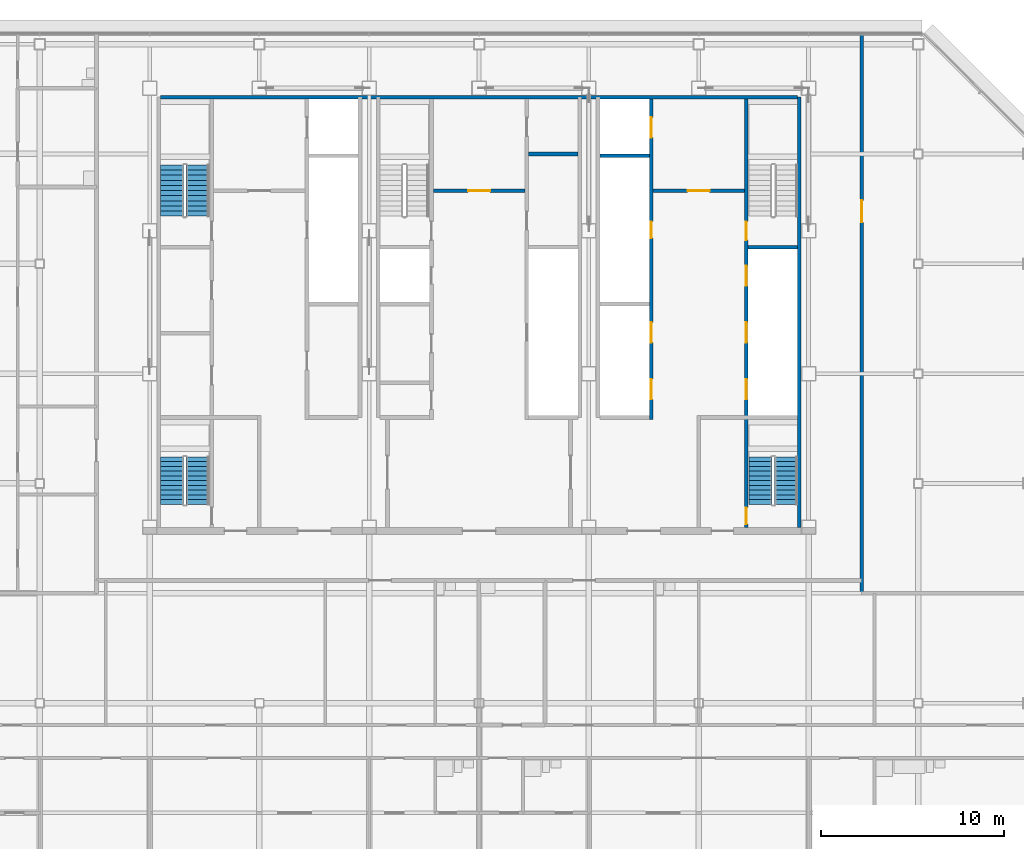
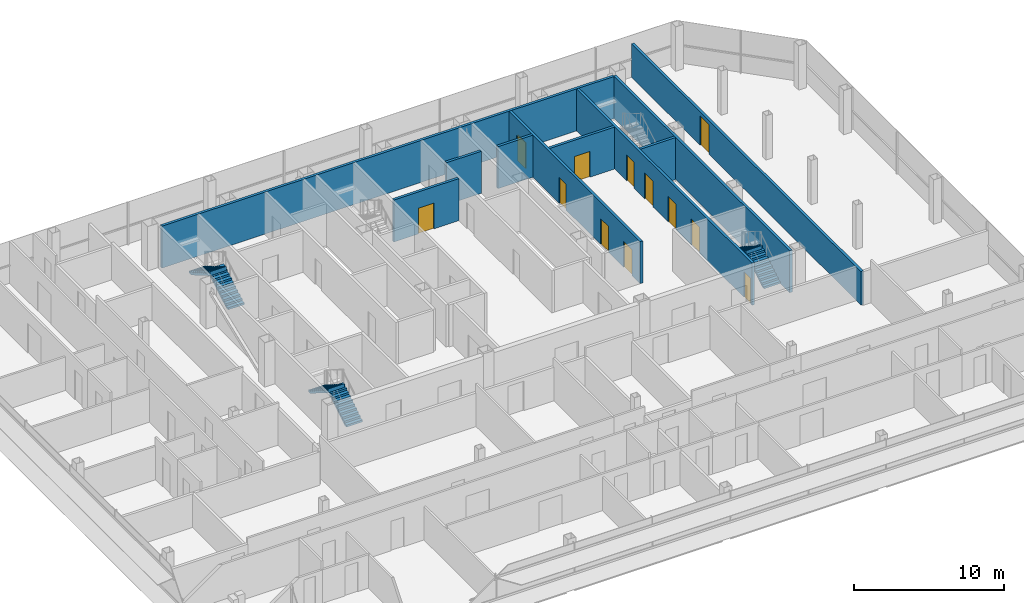
# One storey, part 25 of 28: 12 doors, 10 walls, 6 stair flights, 12 openings, 3 elements without a shape of their own.
"""IFC4 building model written with IfcOpenShell, lengths in metres."""

import ifcopenshell
import ifcopenshell.guid

model = None  # the IFC model being written
_history = None  # IfcOwnerHistory: only IFC2X3 demands one
_inside = {}  # id of a spatial element -> (the spatial element, [elements in it])
_under = {}  # id of a project, library or spatial element -> (it, [spatial elements below it])
_declared = {}  # id of a project -> (the project, [libraries it declares])
_typed = {}  # id of a type object -> (the type object, [elements of that type])
_made_of = {}  # id of a material, layer set ... -> (it, [elements and type objects made of it])


def new_model(schema):
    """Start an empty IFC model of exactly this schema.

    Asked for "IFC4X3", IfcOpenShell would pick the latest addendum, in which some entities
    have other attributes; the version numbers below select the first issue.
    IFC2X3 requires an IfcOwnerHistory on every rooted entity: one is made here for all.
    """
    global model, _history
    if schema == "IFC4X3":
        model = ifcopenshell.file(schema_version=(4, 3, 0, 0))
    else:
        model = ifcopenshell.file(schema=schema)
    _inside.clear()
    _under.clear()
    _declared.clear()
    _typed.clear()
    _made_of.clear()
    _history = None
    if model.schema == "IFC2X3":
        org = make("IfcOrganization", Name="unknown")
        user = make(
            "IfcPersonAndOrganization",
            ThePerson=make("IfcPerson", FamilyName="unknown"),
            TheOrganization=org,
        )
        app = make(
            "IfcApplication",
            ApplicationDeveloper=org,
            Version="unknown",
            ApplicationFullName="unknown",
            ApplicationIdentifier="unknown",
        )
        _history = make(
            "IfcOwnerHistory",
            OwningUser=user,
            OwningApplication=app,
            ChangeAction="ADDED",
            CreationDate=0,
        )
    return model


def make(cls, **values):
    """One entity of the class cls with the attributes given. An attribute that is None is left unset."""
    return model.create_entity(
        cls, **{name: value for name, value in values.items() if value is not None}
    )


def rooted(cls, **values):
    """An entity with a GlobalId (a new one), such as an element, a storey or a relation."""
    return make(cls, GlobalId=ifcopenshell.guid.new(), OwnerHistory=_history, **values)


def si_unit(unit_type, name, prefix=None):
    """IfcSIUnit, for example si_unit("LENGTHUNIT", "METRE", prefix="MILLI")."""
    return make("IfcSIUnit", UnitType=unit_type, Prefix=prefix, Name=name)


def assignment(units):
    """IfcUnitAssignment: the units of a project."""
    return None if units is None else make("IfcUnitAssignment", Units=units)


def point(xyz):
    """IfcCartesianPoint."""
    return None if xyz is None else make("IfcCartesianPoint", Coordinates=xyz)


def direction(xyz):
    """IfcDirection."""
    return None if xyz is None else make("IfcDirection", DirectionRatios=xyz)


def frame(location, z_axis=None, x_axis=None):
    """IfcAxis2Placement3D, a coordinate frame: its origin and axes. An axis left out is left unset."""
    return make(
        "IfcAxis2Placement3D",
        Location=point(location),
        Axis=direction(z_axis),
        RefDirection=direction(x_axis),
    )


def frame_2d(location, x_axis=None):
    """IfcAxis2Placement2D, a coordinate frame in the plane: its origin and x axis."""
    return make(
        "IfcAxis2Placement2D", Location=point(location), RefDirection=direction(x_axis)
    )


def origin():
    """The frame at (0, 0, 0) with its axes left unset."""
    return frame((0.0, 0.0, 0.0))


def place(relative_to, where):
    """IfcLocalPlacement: puts the frame where relative to a parent placement (None: the world)."""
    return make(
        "IfcLocalPlacement", PlacementRelTo=relative_to, RelativePlacement=where
    )


def context(
    kind, dimensions, precision=None, world=None, true_north=None, identifier=None
):
    """IfcGeometricRepresentationContext, for example the 3D "Model" context."""
    return make(
        "IfcGeometricRepresentationContext",
        ContextIdentifier=identifier,
        ContextType=kind,
        CoordinateSpaceDimension=dimensions,
        Precision=precision,
        WorldCoordinateSystem=world,
        TrueNorth=true_north,
    )


def subcontext(parent, identifier, kind, view, scale=None):
    """IfcGeometricRepresentationSubContext, for example "Body" below "Model"."""
    return make(
        "IfcGeometricRepresentationSubContext",
        ContextIdentifier=identifier,
        ContextType=kind,
        ParentContext=parent,
        TargetScale=scale,
        TargetView=view,
    )


def project(units=None, contexts=None):
    """IfcProject with its units and contexts."""
    return rooted(
        "IfcProject",
        Name="project",
        RepresentationContexts=contexts,
        UnitsInContext=assignment(units),
    )


def spatial(cls, under=None, at=None, **own):
    """A site, building, storey or space (cls), placed at a placement, below another one or the project."""
    s = rooted(cls, ObjectPlacement=at, **own)
    if under is not None:
        _under.setdefault(under.id(), (under, []))[1].append(s)
    return s


def polyline(points):
    """IfcPolyline through the points."""
    return make("IfcPolyline", Points=[point(p) for p in points])


def profile(cls, at=None, kind="AREA", **sizes):
    """A parametric profile (cls). Its sizes go by their IFC names, for example OverallWidth=200.0."""
    return make(cls, ProfileType=kind, Position=at, **sizes)


def rectangle(**sizes):
    """IfcRectangleProfileDef."""
    return profile("IfcRectangleProfileDef", **sizes)


def outline(outer, holes=None, kind="AREA"):
    """IfcArbitraryClosedProfileDef: a profile drawn as a closed curve; with holes, ...WithVoids."""
    if holes is None:
        return make("IfcArbitraryClosedProfileDef", ProfileType=kind, OuterCurve=outer)
    return make(
        "IfcArbitraryProfileDefWithVoids",
        ProfileType=kind,
        OuterCurve=outer,
        InnerCurves=holes,
    )


def extrude(swept, where, along, depth):
    """IfcExtrudedAreaSolid: the profile swept, set in the frame where, extruded along a direction by depth."""
    return make(
        "IfcExtrudedAreaSolid",
        SweptArea=swept,
        Position=where,
        ExtrudedDirection=direction(along),
        Depth=depth,
    )


def shape(context_of_items, identifier, shape_type, items):
    """IfcShapeRepresentation: the items that make up one representation, for example the "Body"."""
    return make(
        "IfcShapeRepresentation",
        ContextOfItems=context_of_items,
        RepresentationIdentifier=identifier,
        RepresentationType=shape_type,
        Items=items,
    )


def material(Name=None, Category=None):
    """IfcMaterial."""
    return make("IfcMaterial", Name=Name, Category=Category)


def layer(
    of_material, thickness, ventilated=None, Name=None, Category=None, Priority=None
):
    """IfcMaterialLayer: one layer of a wall or slab, of a material (None: an air gap)."""
    return make(
        "IfcMaterialLayer",
        Material=of_material,
        LayerThickness=thickness,
        IsVentilated=ventilated,
        Name=Name,
        Category=Category,
        Priority=Priority,
    )


def layer_set(layers, Name=None):
    """IfcMaterialLayerSet."""
    return make("IfcMaterialLayerSet", MaterialLayers=layers, LayerSetName=Name)


def made_of(thing, what):
    """Note that an element or type object is made of a material, layer set ...; save() writes the relation."""
    if what is not None:
        _made_of.setdefault(what.id(), (what, []))[1].append(thing)
    return thing


def type_object(cls, material=None, **own):
    """A type object (cls), such as IfcWallType, which elements share."""
    return made_of(rooted(cls, **own), material)


def element(
    cls,
    number,
    at=None,
    inside=None,
    cuts=None,
    type_object=None,
    material=None,
    context=None,
    identifier="Body",
    shape_type=None,
    held_by="IfcProductDefinitionShape",
    body=None,
    shapes=None,
    **own,
):
    """One element of the class cls, such as IfcWall. Its Tag is "e" and its number.

    at: its placement. inside: the storey or other place that contains it. cuts: it is an
    opening in that element (IfcRelVoidsElement). A single representation is given by context,
    identifier, shape_type and body (its items); several are given by shapes. held_by: the class
    of the entity that holds the representations. save() writes the other relations.
    """
    e = rooted(cls, Tag="e%d" % number, ObjectPlacement=at, **own)
    if body is not None:
        shapes = [shape(context, identifier, shape_type, body)]
    if shapes is not None:
        e.Representation = make(held_by, Representations=shapes)
    if inside is not None:
        _inside.setdefault(inside.id(), (inside, []))[1].append(e)
    if cuts is not None:
        rooted(
            "IfcRelVoidsElement", RelatingBuildingElement=cuts, RelatedOpeningElement=e
        )
    if type_object is not None:
        _typed.setdefault(type_object.id(), (type_object, []))[1].append(e)
    return made_of(e, material)


def fill(opening, filler):
    """IfcRelFillsElement: the door or window that sits in an opening."""
    return rooted(
        "IfcRelFillsElement",
        RelatingOpeningElement=opening,
        RelatedBuildingElement=filler,
    )


def aggregate(whole, parts):
    """IfcRelAggregates: a whole, such as a stair, and the parts it consists of."""
    return rooted("IfcRelAggregates", RelatingObject=whole, RelatedObjects=parts)


def save(model, path):
    """Write the relations noted so far, then the file.

    IfcRelAggregates (storeys below a building ...), IfcRelContainedInSpatialStructure (elements
    in a storey), IfcRelDefinesByType, IfcRelAssociatesMaterial and IfcRelDeclares: one each for
    every whole, place, type object, material and project.
    """
    for whole, parts in _under.values():
        aggregate(whole, parts)
    for where, things in _inside.values():
        rooted(
            "IfcRelContainedInSpatialStructure",
            RelatedElements=things,
            RelatingStructure=where,
        )
    for kind, things in _typed.values():
        rooted("IfcRelDefinesByType", RelatedObjects=things, RelatingType=kind)
    for what, things in _made_of.values():
        rooted("IfcRelAssociatesMaterial", RelatedObjects=things, RelatingMaterial=what)
    for by, libraries in _declared.values():
        rooted("IfcRelDeclares", RelatingContext=by, RelatedDefinitions=libraries)
    model.write(path)


model = new_model("IFC4")

# Units and contexts
model_context = context("Model", 3, precision=1e-05, world=origin(), true_north=direction((0.0, 1.0)))
body_context = subcontext(model_context, "Body", "Model", "MODEL_VIEW")
ifc_project = project(units=[si_unit("LENGTHUNIT", "METRE"), si_unit("AREAUNIT", "SQUARE_METRE"), si_unit("VOLUMEUNIT", "CUBIC_METRE"), si_unit("PLANEANGLEUNIT", "RADIAN"), si_unit("MASSUNIT", "GRAM", prefix="KILO")], contexts=[model_context])

# Site, building, storey
site_placement = place(None, origin())
site = spatial("IfcSite", under=ifc_project, at=site_placement, CompositionType="ELEMENT")
building_placement = place(site_placement, origin())
building = spatial("IfcBuilding", under=site, at=building_placement, Name="Sorahane Residences", CompositionType="ELEMENT")
storey_placement = place(building_placement, frame((0.0, 0.0, 270.199951171875)))
storey = spatial("IfcBuildingStorey", under=building, at=storey_placement, Name="L64", CompositionType="ELEMENT", Elevation=270.199951171875)

# Walls
ifc_material_1 = material(Name="Concrete C30", Category="concrete")
ifc_layer_1 = layer(ifc_material_1, 0.199951171875)
ifc_layer_set_1 = layer_set([ifc_layer_1], Name="Core face wall 200 EI 180")
wall_type_1 = type_object("IfcWallType", Name="Core face wall 200 EI 180", PredefinedType="SOLIDWALL", material=ifc_layer_set_1)
wall_1_placement = place(storey_placement, frame((41.5, 21.60009765625, 0.0), z_axis=(0.0, 0.0, 1.0), x_axis=(0.0, 1.0, 0.0)))
element("IfcWall", 1, at=wall_1_placement, inside=storey, type_object=wall_type_1, Name="L64 core face wall", PredefinedType="SOLIDWALL", context=body_context, shape_type="SweptSolid", body=[
    extrude(rectangle(XDim=23.5, YDim=0.199951171875, at=frame_2d((11.75, 0.0))), origin(), (0.0, 0.0, 1.0), 3.420166015625),
])
wall_2_placement = place(storey_placement, frame((6.60009765625, 45.10009765625, 0.0), z_axis=(0.0, 0.0, 1.0), x_axis=(1.0, 0.0, 0.0)))
element("IfcWall", 2, at=wall_2_placement, inside=storey, type_object=wall_type_1, Name="L64 core face wall", PredefinedType="SOLIDWALL", context=body_context, shape_type="SweptSolid", body=[
    extrude(rectangle(XDim=34.7998046875, YDim=0.199951171875, at=frame_2d((17.39990234375, 0.0))), origin(), (0.0, 0.0, 1.0), 3.420166015625),
])

# Wall, opening, door
ifc_material_2 = material(Name="Concrete blockwork C20 wall", Category="masonry")
ifc_layer_2 = layer(ifc_material_2, 0.199951171875)
ifc_layer_set_2 = layer_set([ifc_layer_2], Name="Corridor wall 200 EI 120")
wall_type_2 = type_object("IfcWallType", Name="Corridor wall 200 EI 120", PredefinedType="SOLIDWALL", material=ifc_layer_set_2)
wall_3_placement = place(storey_placement, frame((44.89990234375, 18.0, 0.0), z_axis=(0.0, 0.0, 1.0), x_axis=(0.0, 1.0, 0.0)))
wall_3 = element("IfcWall", 3, at=wall_3_placement, inside=storey, type_object=wall_type_2, Name="L64 corridor wall", PredefinedType="SOLIDWALL", context=body_context, shape_type="SweptSolid", body=[
    extrude(rectangle(XDim=30.60009765625, YDim=0.199951171875, at=frame_2d((15.300048828125, 0.0))), origin(), (0.0, 0.0, 1.0), 2.719970703125),
])
opening_1_placement = place(wall_3_placement, frame((20.27001953125, 0.0, 0.0)))
opening_1 = element("IfcOpeningElement", 4, at=opening_1_placement, cuts=wall_3, Name="Opening L64-47", PredefinedType="OPENING", context=body_context, shape_type="SweptSolid", body=[
    extrude(rectangle(XDim=1.199951171875, YDim=2.39990234375, at=frame_2d((0.60009765625, 1.199951171875))), frame((0.0, 0.10986328125, 0.0), z_axis=(0.0, -1.0, 0.0), x_axis=(1.0, 0.0, 0.0)), (0.0, 0.0, 1.0), 0.219970703125),
])
ifc_material_3 = material(Name="Steel", Category="steel")
door_type_1 = type_object("IfcDoorType", Name="Lobby door 1200x2400 FD60", OperationType="NOTDEFINED", PredefinedType="DOOR", material=ifc_material_3)
door_1_placement = place(opening_1_placement, frame((1.199951171875, 0.0, 0.0), z_axis=(0.0, 0.0, 1.0), x_axis=(-1.0, 0.0, 0.0)))
door_1 = element("IfcDoor", 5, at=door_1_placement, inside=storey, type_object=door_type_1, Name="Lobby door L64-47", OperationType="SINGLE_SWING_LEFT", OverallHeight=2.39990234375, OverallWidth=1.199951171875, PredefinedType="DOOR", context=body_context, shape_type="SweptSolid", body=[
    extrude(rectangle(XDim=1.199951171875, YDim=2.39990234375, at=frame_2d((0.60009765625, 1.199951171875))), frame((0.0, 0.02490234375, 0.0), z_axis=(0.0, -1.0, 0.0), x_axis=(1.0, 0.0, 0.0)), (0.0, 0.0, 1.0), 0.050048828125),
])
fill(opening_1, door_1)

ifc_material_4 = material(Name="Concrete C30", Category="concrete")
ifc_layer_3 = layer(ifc_material_4, 0.199951171875)
ifc_layer_set_3 = layer_set([ifc_layer_3], Name="Front room wall 200 EI 120")
wall_type_3 = type_object("IfcWallType", Name="Front room wall 200 EI 120", PredefinedType="PARTITIONING", material=ifc_layer_set_3)
wall_4_placement = place(storey_placement, frame((21.5, 40.0, 0.0), z_axis=(0.0, 0.0, 1.0), x_axis=(1.0, 0.0, 0.0)))
wall_4 = element("IfcWall", 6, at=wall_4_placement, inside=storey, type_object=wall_type_3, Name="L64 front room wall", PredefinedType="PARTITIONING", context=body_context, shape_type="SweptSolid", body=[
    extrude(rectangle(XDim=5.0, YDim=0.199951171875, at=frame_2d((2.5, 0.0))), origin(), (0.0, 0.0, 1.0), 3.420166015625),
])
opening_2_placement = place(wall_4_placement, frame((1.89990234375, 0.0, 0.0)))
opening_2 = element("IfcOpeningElement", 7, at=opening_2_placement, cuts=wall_4, Name="Opening L64-C09", PredefinedType="OPENING", context=body_context, shape_type="SweptSolid", body=[
    extrude(rectangle(XDim=1.199951171875, YDim=2.10009765625, at=frame_2d((0.60009765625, 1.050048828125))), frame((0.0, 0.10986328125, 0.0), z_axis=(0.0, -1.0, 0.0), x_axis=(1.0, 0.0, 0.0)), (0.0, 0.0, 1.0), 0.219970703125),
])
ifc_material_5 = material(Name="Steel", Category="steel")
door_type_2 = type_object("IfcDoorType", Name="Front room door 1200x2100 FD120", OperationType="NOTDEFINED", PredefinedType="DOOR", material=ifc_material_5)
door_2_placement = place(opening_2_placement, frame((1.199951171875, 0.0, 0.0), z_axis=(0.0, 0.0, 1.0), x_axis=(-1.0, 0.0, 0.0)))
door_2 = element("IfcDoor", 8, at=door_2_placement, inside=storey, type_object=door_type_2, Name="Front room door Stair S3 vestibule L64", OperationType="DOUBLE_DOOR_SINGLE_SWING", OverallHeight=2.10009765625, OverallWidth=1.199951171875, PredefinedType="DOOR", context=body_context, shape_type="SweptSolid", body=[
    extrude(rectangle(XDim=1.199951171875, YDim=2.10009765625, at=frame_2d((0.60009765625, 1.050048828125))), frame((0.0, 0.02490234375, 0.0), z_axis=(0.0, -1.0, 0.0), x_axis=(1.0, 0.0, 0.0)), (0.0, 0.0, 1.0), 0.050048828125),
])
fill(opening_2, door_2)

wall_5_placement = place(storey_placement, frame((33.5, 40.0, 0.0), z_axis=(0.0, 0.0, 1.0), x_axis=(1.0, 0.0, 0.0)))
wall_5 = element("IfcWall", 9, at=wall_5_placement, inside=storey, type_object=wall_type_3, Name="L64 front room wall", PredefinedType="PARTITIONING", context=body_context, shape_type="SweptSolid", body=[
    extrude(rectangle(XDim=5.0, YDim=0.199951171875, at=frame_2d((2.5, 0.0))), origin(), (0.0, 0.0, 1.0), 3.420166015625),
])
opening_3_placement = place(wall_5_placement, frame((1.89990234375, 0.0, 0.0)))
opening_3 = element("IfcOpeningElement", 10, at=opening_3_placement, cuts=wall_5, Name="Opening L64-C10", PredefinedType="OPENING", context=body_context, shape_type="SweptSolid", body=[
    extrude(rectangle(XDim=1.199951171875, YDim=2.10009765625, at=frame_2d((0.60009765625, 1.050048828125))), frame((0.0, 0.10986328125, 0.0), z_axis=(0.0, -1.0, 0.0), x_axis=(1.0, 0.0, 0.0)), (0.0, 0.0, 1.0), 0.219970703125),
])
door_3_placement = place(opening_3_placement, frame((1.199951171875, 0.0, 0.0), z_axis=(0.0, 0.0, 1.0), x_axis=(-1.0, 0.0, 0.0)))
door_3 = element("IfcDoor", 11, at=door_3_placement, inside=storey, type_object=door_type_2, Name="Front room door Firefighting lobby FF2 front room L64", OperationType="DOUBLE_DOOR_SINGLE_SWING", OverallHeight=2.10009765625, OverallWidth=1.199951171875, PredefinedType="DOOR", context=body_context, shape_type="SweptSolid", body=[
    extrude(rectangle(XDim=1.199951171875, YDim=2.10009765625, at=frame_2d((0.60009765625, 1.050048828125))), frame((0.0, 0.02490234375, 0.0), z_axis=(0.0, -1.0, 0.0), x_axis=(1.0, 0.0, 0.0)), (0.0, 0.0, 1.0), 0.050048828125),
])
fill(opening_3, door_3)

# Wall, openings, doors
ifc_material_6 = material(Name="Concrete C30", Category="concrete")
ifc_layer_4 = layer(ifc_material_6, 0.199951171875)
ifc_layer_set_4 = layer_set([ifc_layer_4], Name="Lift shaft wall 200 EI 120")
wall_type_4 = type_object("IfcWallType", Name="Lift shaft wall 200 EI 120", PredefinedType="SOLIDWALL", material=ifc_layer_set_4)
wall_6_placement = place(storey_placement, frame((33.39990234375, 27.5, 0.0), z_axis=(0.0, 0.0, 1.0), x_axis=(0.0, 1.0, 0.0)))
wall_6 = element("IfcWall", 12, at=wall_6_placement, inside=storey, type_object=wall_type_4, Name="L64 lift shaft wall", PredefinedType="SOLIDWALL", context=body_context, shape_type="SweptSolid", body=[
    extrude(rectangle(XDim=17.5, YDim=0.199951171875, at=frame_2d((8.75, 0.0))), origin(), (0.0, 0.0, 1.0), 3.420166015625),
])
opening_4_placement = place(wall_6_placement, frame((1.10009765625, 0.0, 0.0)))
opening_4 = element("IfcOpeningElement", 13, at=opening_4_placement, cuts=wall_6, Name="Opening L64-C14", PredefinedType="OPENING", context=body_context, shape_type="SweptSolid", body=[
    extrude(rectangle(XDim=1.10009765625, YDim=2.10009765625, at=frame_2d((0.550048828125, 1.050048828125))), frame((0.0, 0.10986328125, 0.0), z_axis=(0.0, -1.0, 0.0), x_axis=(1.0, 0.0, 0.0)), (0.0, 0.0, 1.0), 0.219970703125),
])
opening_5_placement = place(wall_6_placement, frame((4.199951171875, 0.0, 0.0)))
opening_5 = element("IfcOpeningElement", 14, at=opening_5_placement, cuts=wall_6, Name="Opening L64-C15", PredefinedType="OPENING", context=body_context, shape_type="SweptSolid", body=[
    extrude(rectangle(XDim=1.10009765625, YDim=2.10009765625, at=frame_2d((0.550048828125, 1.050048828125))), frame((0.0, 0.10986328125, 0.0), z_axis=(0.0, -1.0, 0.0), x_axis=(1.0, 0.0, 0.0)), (0.0, 0.0, 1.0), 0.219970703125),
])
opening_6_placement = place(wall_6_placement, frame((15.39990234375, 0.0, 0.0)))
opening_6 = element("IfcOpeningElement", 15, at=opening_6_placement, cuts=wall_6, Name="Opening L64-C16", PredefinedType="OPENING", context=body_context, shape_type="SweptSolid", body=[
    extrude(rectangle(XDim=1.10009765625, YDim=2.10009765625, at=frame_2d((0.550048828125, 1.050048828125))), frame((0.0, 0.10986328125, 0.0), z_axis=(0.0, -1.0, 0.0), x_axis=(1.0, 0.0, 0.0)), (0.0, 0.0, 1.0), 0.219970703125),
])
opening_7_placement = place(wall_6_placement, frame((9.89990234375, 0.0, 0.0)))
opening_7 = element("IfcOpeningElement", 16, at=opening_7_placement, cuts=wall_6, Name="Opening L64-C29", PredefinedType="OPENING", context=body_context, shape_type="SweptSolid", body=[
    extrude(rectangle(XDim=0.89990234375, YDim=2.10009765625, at=frame_2d((0.449951171875, 1.050048828125))), frame((0.0, 0.10986328125, 0.0), z_axis=(0.0, -1.0, 0.0), x_axis=(1.0, 0.0, 0.0)), (0.0, 0.0, 1.0), 0.219970703125),
])
ifc_material_7 = material(Name="Aluminium and stainless steel", Category="steel")
door_type_3 = type_object("IfcDoorType", Name="Lift landing door 1100x2100 E 60", OperationType="NOTDEFINED", PredefinedType="DOOR", material=ifc_material_7)
door_4_placement = place(opening_4_placement, origin())
door_4 = element("IfcDoor", 17, at=door_4_placement, inside=storey, type_object=door_type_3, Name="Lift landing door HR4 L64", OperationType="DOUBLE_DOOR_SLIDING", OverallHeight=2.10009765625, OverallWidth=1.10009765625, PredefinedType="DOOR", context=body_context, shape_type="SweptSolid", body=[
    extrude(rectangle(XDim=1.10009765625, YDim=2.10009765625, at=frame_2d((0.550048828125, 1.050048828125))), frame((0.0, 0.02490234375, 0.0), z_axis=(0.0, -1.0, 0.0), x_axis=(1.0, 0.0, 0.0)), (0.0, 0.0, 1.0), 0.050048828125),
])
fill(opening_4, door_4)
door_5_placement = place(opening_5_placement, origin())
door_5 = element("IfcDoor", 18, at=door_5_placement, inside=storey, type_object=door_type_3, Name="Lift landing door HR5 L64", OperationType="DOUBLE_DOOR_SLIDING", OverallHeight=2.10009765625, OverallWidth=1.10009765625, PredefinedType="DOOR", context=body_context, shape_type="SweptSolid", body=[
    extrude(rectangle(XDim=1.10009765625, YDim=2.10009765625, at=frame_2d((0.550048828125, 1.050048828125))), frame((0.0, 0.02490234375, 0.0), z_axis=(0.0, -1.0, 0.0), x_axis=(1.0, 0.0, 0.0)), (0.0, 0.0, 1.0), 0.050048828125),
])
fill(opening_5, door_5)
door_6_placement = place(opening_6_placement, origin())
door_6 = element("IfcDoor", 19, at=door_6_placement, inside=storey, type_object=door_type_3, Name="Lift landing door FF2 L64", OperationType="DOUBLE_DOOR_SLIDING", OverallHeight=2.10009765625, OverallWidth=1.10009765625, PredefinedType="DOOR", context=body_context, shape_type="SweptSolid", body=[
    extrude(rectangle(XDim=1.10009765625, YDim=2.10009765625, at=frame_2d((0.550048828125, 1.050048828125))), frame((0.0, 0.02490234375, 0.0), z_axis=(0.0, -1.0, 0.0), x_axis=(1.0, 0.0, 0.0)), (0.0, 0.0, 1.0), 0.050048828125),
])
fill(opening_6, door_6)
ifc_material_8 = material(Name="Steel", Category="steel")
door_type_4 = type_object("IfcDoorType", Name="Riser door 900x2100 FD120", OperationType="NOTDEFINED", PredefinedType="DOOR", material=ifc_material_8)
door_7_placement = place(opening_7_placement, frame((0.89990234375, 0.0, 0.0), z_axis=(0.0, 0.0, 1.0), x_axis=(-1.0, 0.0, 0.0)))
door_7 = element("IfcDoor", 20, at=door_7_placement, inside=storey, type_object=door_type_4, Name="Riser door R2 L64", OperationType="SINGLE_SWING_LEFT", OverallHeight=2.10009765625, OverallWidth=0.89990234375, PredefinedType="DOOR", context=body_context, shape_type="SweptSolid", body=[
    extrude(rectangle(XDim=0.89990234375, YDim=2.10009765625, at=frame_2d((0.449951171875, 1.050048828125))), frame((0.0, 0.02490234375, 0.0), z_axis=(0.0, -1.0, 0.0), x_axis=(1.0, 0.0, 0.0)), (0.0, 0.0, 1.0), 0.050048828125),
])
fill(opening_7, door_7)

# Walls
wall_7_placement = place(storey_placement, frame((30.60009765625, 41.89990234375, 0.0), z_axis=(0.0, 0.0, 1.0), x_axis=(1.0, 0.0, 0.0)))
element("IfcWall", 21, at=wall_7_placement, inside=storey, type_object=wall_type_4, Name="L64 lift shaft wall", PredefinedType="SOLIDWALL", context=body_context, shape_type="SweptSolid", body=[
    extrude(rectangle(XDim=2.699951171875, YDim=0.199951171875, at=frame_2d((1.35009765625, 0.0))), origin(), (0.0, 0.0, 1.0), 3.420166015625),
])
ifc_material_9 = material(Name="Concrete C30", Category="concrete")
ifc_layer_5 = layer(ifc_material_9, 0.199951171875)
ifc_layer_set_5 = layer_set([ifc_layer_5], Name="Service room partition 200 EI 60")
wall_type_5 = type_object("IfcWallType", Name="Service room partition 200 EI 60", PredefinedType="PARTITIONING", material=ifc_layer_set_5)
wall_8_placement = place(storey_placement, frame((26.699951171875, 42.0, 0.0), z_axis=(0.0, 0.0, 1.0), x_axis=(1.0, 0.0, 0.0)))
element("IfcWall", 22, at=wall_8_placement, inside=storey, type_object=wall_type_5, Name="L64 service room wall", PredefinedType="PARTITIONING", context=body_context, shape_type="SweptSolid", body=[
    extrude(rectangle(XDim=2.699951171875, YDim=0.199951171875, at=frame_2d((1.35009765625, 0.0))), origin(), (0.0, 0.0, 1.0), 3.420166015625),
])

# Wall, openings, doors
ifc_material_10 = material(Name="Concrete C30", Category="concrete")
ifc_layer_6 = layer(ifc_material_10, 0.199951171875)
ifc_layer_set_6 = layer_set([ifc_layer_6], Name="Stair enclosure wall 200 EI 120")
wall_type_6 = type_object("IfcWallType", Name="Stair enclosure wall 200 EI 120", PredefinedType="SOLIDWALL", material=ifc_layer_set_6)
wall_9_placement = place(storey_placement, frame((38.60009765625, 21.60009765625, 0.0), z_axis=(0.0, 0.0, 1.0), x_axis=(0.0, 1.0, 0.0)))
wall_9 = element("IfcWall", 23, at=wall_9_placement, inside=storey, type_object=wall_type_6, Name="L64 stair enclosure wall", PredefinedType="SOLIDWALL", context=body_context, shape_type="SweptSolid", body=[
    extrude(rectangle(XDim=23.39990234375, YDim=0.199951171875, at=frame_2d((11.699951171875, 0.0))), origin(), (0.0, 0.0, 1.0), 3.420166015625),
])
opening_8_placement = place(wall_9_placement, frame((7.0, 0.0, 0.0)))
opening_8 = element("IfcOpeningElement", 24, at=opening_8_placement, cuts=wall_9, Name="Opening L64-C11", PredefinedType="OPENING", context=body_context, shape_type="SweptSolid", body=[
    extrude(rectangle(XDim=1.10009765625, YDim=2.10009765625, at=frame_2d((0.550048828125, 1.050048828125))), frame((0.0, 0.10986328125, 0.0), z_axis=(0.0, -1.0, 0.0), x_axis=(1.0, 0.0, 0.0)), (0.0, 0.0, 1.0), 0.219970703125),
])
opening_9_placement = place(wall_9_placement, frame((10.10009765625, 0.0, 0.0)))
opening_9 = element("IfcOpeningElement", 25, at=opening_9_placement, cuts=wall_9, Name="Opening L64-C12", PredefinedType="OPENING", context=body_context, shape_type="SweptSolid", body=[
    extrude(rectangle(XDim=1.10009765625, YDim=2.10009765625, at=frame_2d((0.550048828125, 1.050048828125))), frame((0.0, 0.10986328125, 0.0), z_axis=(0.0, -1.0, 0.0), x_axis=(1.0, 0.0, 0.0)), (0.0, 0.0, 1.0), 0.219970703125),
])
opening_10_placement = place(wall_9_placement, frame((13.199951171875, 0.0, 0.0)))
opening_10 = element("IfcOpeningElement", 26, at=opening_10_placement, cuts=wall_9, Name="Opening L64-C13", PredefinedType="OPENING", context=body_context, shape_type="SweptSolid", body=[
    extrude(rectangle(XDim=1.10009765625, YDim=2.10009765625, at=frame_2d((0.550048828125, 1.050048828125))), frame((0.0, 0.10986328125, 0.0), z_axis=(0.0, -1.0, 0.0), x_axis=(1.0, 0.0, 0.0)), (0.0, 0.0, 1.0), 0.219970703125),
])
opening_11_placement = place(wall_9_placement, frame((15.699951171875, 0.0, 0.0)))
opening_11 = element("IfcOpeningElement", 27, at=opening_11_placement, cuts=wall_9, Name="Opening L64-C24", PredefinedType="OPENING", context=body_context, shape_type="SweptSolid", body=[
    extrude(rectangle(XDim=1.0, YDim=2.10009765625, at=frame_2d((0.5, 1.050048828125))), frame((0.0, 0.10986328125, 0.0), z_axis=(0.0, -1.0, 0.0), x_axis=(1.0, 0.0, 0.0)), (0.0, 0.0, 1.0), 0.219970703125),
])
opening_12_placement = place(wall_9_placement, frame((0.175048828125, 0.0, 0.0)))
opening_12 = element("IfcOpeningElement", 28, at=opening_12_placement, cuts=wall_9, Name="Opening L64-C27", PredefinedType="OPENING", context=body_context, shape_type="SweptSolid", body=[
    extrude(rectangle(XDim=0.89990234375, YDim=2.10009765625, at=frame_2d((0.449951171875, 1.050048828125))), frame((0.0, 0.10986328125, 0.0), z_axis=(0.0, -1.0, 0.0), x_axis=(1.0, 0.0, 0.0)), (0.0, 0.0, 1.0), 0.219970703125),
])
door_8_placement = place(opening_8_placement, origin())
door_8 = element("IfcDoor", 29, at=door_8_placement, inside=storey, type_object=door_type_3, Name="Lift landing door HR1 L64", OperationType="DOUBLE_DOOR_SLIDING", OverallHeight=2.10009765625, OverallWidth=1.10009765625, PredefinedType="DOOR", context=body_context, shape_type="SweptSolid", body=[
    extrude(rectangle(XDim=1.10009765625, YDim=2.10009765625, at=frame_2d((0.550048828125, 1.050048828125))), frame((0.0, 0.02490234375, 0.0), z_axis=(0.0, -1.0, 0.0), x_axis=(1.0, 0.0, 0.0)), (0.0, 0.0, 1.0), 0.050048828125),
])
fill(opening_8, door_8)
door_9_placement = place(opening_9_placement, origin())
door_9 = element("IfcDoor", 30, at=door_9_placement, inside=storey, type_object=door_type_3, Name="Lift landing door HR2 L64", OperationType="DOUBLE_DOOR_SLIDING", OverallHeight=2.10009765625, OverallWidth=1.10009765625, PredefinedType="DOOR", context=body_context, shape_type="SweptSolid", body=[
    extrude(rectangle(XDim=1.10009765625, YDim=2.10009765625, at=frame_2d((0.550048828125, 1.050048828125))), frame((0.0, 0.02490234375, 0.0), z_axis=(0.0, -1.0, 0.0), x_axis=(1.0, 0.0, 0.0)), (0.0, 0.0, 1.0), 0.050048828125),
])
fill(opening_9, door_9)
door_10_placement = place(opening_10_placement, origin())
door_10 = element("IfcDoor", 31, at=door_10_placement, inside=storey, type_object=door_type_3, Name="Lift landing door HR3 L64", OperationType="DOUBLE_DOOR_SLIDING", OverallHeight=2.10009765625, OverallWidth=1.10009765625, PredefinedType="DOOR", context=body_context, shape_type="SweptSolid", body=[
    extrude(rectangle(XDim=1.10009765625, YDim=2.10009765625, at=frame_2d((0.550048828125, 1.050048828125))), frame((0.0, 0.02490234375, 0.0), z_axis=(0.0, -1.0, 0.0), x_axis=(1.0, 0.0, 0.0)), (0.0, 0.0, 1.0), 0.050048828125),
])
fill(opening_10, door_10)
ifc_material_11 = material(Name="Steel", Category="steel")
door_type_5 = type_object("IfcDoorType", Name="Stair door 1000x2100 FD120", OperationType="NOTDEFINED", PredefinedType="DOOR", material=ifc_material_11)
door_11_placement = place(opening_11_placement, frame((1.0, 0.0, 0.0), z_axis=(0.0, 0.0, 1.0), x_axis=(-1.0, 0.0, 0.0)))
door_11 = element("IfcDoor", 32, at=door_11_placement, inside=storey, type_object=door_type_5, Name="Stair door S2 L64", OperationType="SINGLE_SWING_LEFT", OverallHeight=2.10009765625, OverallWidth=1.0, PredefinedType="DOOR", context=body_context, shape_type="SweptSolid", body=[
    extrude(rectangle(XDim=1.0, YDim=2.10009765625, at=frame_2d((0.5, 1.050048828125))), frame((0.0, 0.02490234375, 0.0), z_axis=(0.0, -1.0, 0.0), x_axis=(1.0, 0.0, 0.0)), (0.0, 0.0, 1.0), 0.050048828125),
])
fill(opening_11, door_11)
ifc_material_12 = material(Name="Steel", Category="steel")
door_type_6 = type_object("IfcDoorType", Name="Stair door 900x2100 FD120", OperationType="NOTDEFINED", PredefinedType="DOOR", material=ifc_material_12)
door_12_placement = place(opening_12_placement, frame((0.89990234375, 0.0, 0.0), z_axis=(0.0, 0.0, 1.0), x_axis=(-1.0, 0.0, 0.0)))
door_12 = element("IfcDoor", 33, at=door_12_placement, inside=storey, type_object=door_type_6, Name="Stair door S5 L64", OperationType="SINGLE_SWING_LEFT", OverallHeight=2.10009765625, OverallWidth=0.89990234375, PredefinedType="DOOR", context=body_context, shape_type="SweptSolid", body=[
    extrude(rectangle(XDim=0.89990234375, YDim=2.10009765625, at=frame_2d((0.449951171875, 1.050048828125))), frame((0.0, 0.02490234375, 0.0), z_axis=(0.0, -1.0, 0.0), x_axis=(1.0, 0.0, 0.0)), (0.0, 0.0, 1.0), 0.050048828125),
])
fill(opening_12, door_12)

# Wall
wall_10_placement = place(storey_placement, frame((38.699951171875, 36.89990234375, 0.0), z_axis=(0.0, 0.0, 1.0), x_axis=(1.0, 0.0, 0.0)))
element("IfcWall", 34, at=wall_10_placement, inside=storey, type_object=wall_type_6, Name="L64 stair enclosure wall", PredefinedType="SOLIDWALL", context=body_context, shape_type="SweptSolid", body=[
    extrude(rectangle(XDim=2.699951171875, YDim=0.199951171875, at=frame_2d((1.35009765625, 0.0))), origin(), (0.0, 0.0, 1.0), 3.420166015625),
])

# Stair, stair flights
ifc_material_13 = material(Name="Concrete C40", Category="concrete")
stair_type = type_object("IfcStairType", Name="Dog-leg stair 1250 Concrete C40", PredefinedType="HALF_TURN_STAIR", material=ifc_material_13)
stair_1_placement = place(storey_placement, origin())
stair_1 = element("IfcStair", 35, at=stair_1_placement, inside=storey, type_object=stair_type, Name="L64 Stair S1", PredefinedType="HALF_TURN_STAIR")
ifc_material_14 = material(Name="Concrete C40", Category="concrete")
stair_flight_type = type_object("IfcStairFlightType", Name="Stair flight 1250 Concrete C40", PredefinedType="STRAIGHT", material=ifc_material_14)
stair_flight_1_placement = place(storey_placement, frame((8.625, 38.60009765625, 0.0), z_axis=(0.0, 0.0, 1.0), x_axis=(0.0, 1.0, 0.0)))
stair_flight_1 = element("IfcStairFlight", 36, at=stair_flight_1_placement, type_object=stair_flight_type, Name="S1 flight 1", NumberOfRisers=11, NumberOfTreads=10, PredefinedType="STRAIGHT", RiserHeight=0.163636364, TreadLength=0.28, context=body_context, shape_type="SweptSolid", body=[
    extrude(outline(polyline([(-0.00146484375, 0.0), (-0.00146484375, 0.16357421875), (0.0, 0.16357421875), (0.280029296875, 0.16357421875), (0.280029296875, 0.327392578125), (0.56005859375, 0.327392578125), (0.56005859375, 0.490966796875), (0.840087890625, 0.490966796875), (0.840087890625, 0.654541015625), (1.1201171875, 0.654541015625), (1.1201171875, 0.818115234375), (1.39990234375, 0.818115234375), (1.39990234375, 0.98193359375), (1.679931640625, 0.98193359375), (1.679931640625, 1.1455078125), (1.9599609375, 1.1455078125), (1.9599609375, 1.30908203125), (2.239990234375, 1.30908203125), (2.239990234375, 1.47265625), (2.52001953125, 1.47265625), (2.52001953125, 1.636474609375), (2.800048828125, 1.636474609375), (2.800048828125, 1.800048828125), (2.800048828125, 1.462646484375), (2.59130859375, 1.3408203125), (2.3828125, 1.218994140625), (2.17431640625, 1.09716796875), (1.965576171875, 0.97509765625), (1.757080078125, 0.853271484375), (1.548583984375, 0.7314453125), (1.340087890625, 0.609375), (1.13134765625, 0.487548828125), (0.9228515625, 0.36572265625), (0.71435546875, 0.243896484375), (0.505615234375, 0.121826171875), (0.297119140625, 0.0), (-0.00146484375, 0.0)])), frame((0.0, 0.625, 0.0), z_axis=(0.0, -1.0, 0.0), x_axis=(1.0, 0.0, 0.0)), (0.0, 0.0, 1.0), 1.25),
])
stair_flight_2_placement = place(storey_placement, frame((7.22509765625, 41.39990234375, 1.800048828125), z_axis=(0.0, 0.0, 1.0), x_axis=(0.0, -1.0, 0.0)))
stair_flight_2 = element("IfcStairFlight", 37, at=stair_flight_2_placement, type_object=stair_flight_type, Name="S1 flight 2", NumberOfRisers=11, NumberOfTreads=10, PredefinedType="STRAIGHT", RiserHeight=0.163636364, TreadLength=0.28, context=body_context, shape_type="SweptSolid", body=[
    extrude(outline(polyline([(0.0, 0.0), (0.0, 0.16357421875), (0.280029296875, 0.16357421875), (0.280029296875, 0.327392578125), (0.56005859375, 0.327392578125), (0.56005859375, 0.490966796875), (0.840087890625, 0.490966796875), (0.840087890625, 0.654541015625), (1.1201171875, 0.654541015625), (1.1201171875, 0.818115234375), (1.39990234375, 0.818115234375), (1.39990234375, 0.98193359375), (1.679931640625, 0.98193359375), (1.679931640625, 1.1455078125), (1.9599609375, 1.1455078125), (1.9599609375, 1.30908203125), (2.239990234375, 1.30908203125), (2.239990234375, 1.47265625), (2.52001953125, 1.47265625), (2.52001953125, 1.636474609375), (2.800048828125, 1.636474609375), (2.800048828125, 1.800048828125), (2.801513671875, 1.800048828125), (2.801513671875, 1.462646484375), (2.5927734375, 1.3408203125), (2.384033203125, 1.218994140625), (2.17529296875, 1.09716796875), (1.966796875, 0.97509765625), (1.758056640625, 0.853271484375), (1.54931640625, 0.7314453125), (1.340576171875, 0.609375), (1.1318359375, 0.487548828125), (0.923095703125, 0.36572265625), (0.714599609375, 0.243896484375), (0.505859375, 0.121826171875), (0.297119140625, 0.0), (0.0, 0.0)])), frame((0.0, 0.625, 0.0), z_axis=(0.0, -1.0, 0.0), x_axis=(1.0, 0.0, 0.0)), (0.0, 0.0, 1.0), 1.25),
])
aggregate(stair_1, [stair_flight_1, stair_flight_2])

stair_2_placement = place(storey_placement, origin())
stair_2 = element("IfcStair", 38, at=stair_2_placement, inside=storey, type_object=stair_type, Name="L64 Stair S4", PredefinedType="HALF_TURN_STAIR")
stair_flight_3_placement = place(storey_placement, frame((8.625, 22.85009765625, 0.0), z_axis=(0.0, 0.0, 1.0), x_axis=(0.0, 1.0, 0.0)))
stair_flight_3 = element("IfcStairFlight", 39, at=stair_flight_3_placement, type_object=stair_flight_type, Name="S4 flight 1", NumberOfRisers=11, NumberOfTreads=10, PredefinedType="STRAIGHT", RiserHeight=0.163636364, TreadLength=0.26, context=body_context, shape_type="SweptSolid", body=[
    extrude(outline(polyline([(-0.00146484375, 0.0), (-0.00146484375, 0.16357421875), (0.0, 0.16357421875), (0.260009765625, 0.16357421875), (0.260009765625, 0.327392578125), (0.52001953125, 0.327392578125), (0.52001953125, 0.490966796875), (0.780029296875, 0.490966796875), (0.780029296875, 0.654541015625), (1.0400390625, 0.654541015625), (1.0400390625, 0.818115234375), (1.300048828125, 0.818115234375), (1.300048828125, 0.98193359375), (1.56005859375, 0.98193359375), (1.56005859375, 1.1455078125), (1.820068359375, 1.1455078125), (1.820068359375, 1.30908203125), (2.080078125, 1.30908203125), (2.080078125, 1.47265625), (2.340087890625, 1.47265625), (2.340087890625, 1.636474609375), (2.60009765625, 1.636474609375), (2.60009765625, 1.800048828125), (2.60009765625, 1.494384765625), (2.402099609375, 1.369873046875), (2.204345703125, 1.245361328125), (2.00634765625, 1.120849609375), (1.80859375, 0.996337890625), (1.610595703125, 0.871826171875), (1.412841796875, 0.747314453125), (1.21484375, 0.622802734375), (1.01708984375, 0.498046875), (0.819091796875, 0.37353515625), (0.621337890625, 0.2490234375), (0.42333984375, 0.12451171875), (0.2255859375, 0.0), (-0.00146484375, 0.0)])), frame((0.0, 0.625, 0.0), z_axis=(0.0, -1.0, 0.0), x_axis=(1.0, 0.0, 0.0)), (0.0, 0.0, 1.0), 1.25),
])
stair_flight_4_placement = place(storey_placement, frame((7.22509765625, 25.449951171875, 1.800048828125), z_axis=(0.0, 0.0, 1.0), x_axis=(0.0, -1.0, 0.0)))
stair_flight_4 = element("IfcStairFlight", 40, at=stair_flight_4_placement, type_object=stair_flight_type, Name="S4 flight 2", NumberOfRisers=11, NumberOfTreads=10, PredefinedType="STRAIGHT", RiserHeight=0.163636364, TreadLength=0.26, context=body_context, shape_type="SweptSolid", body=[
    extrude(outline(polyline([(0.0, 0.0), (0.0, 0.16357421875), (0.260009765625, 0.16357421875), (0.260009765625, 0.327392578125), (0.52001953125, 0.327392578125), (0.52001953125, 0.490966796875), (0.780029296875, 0.490966796875), (0.780029296875, 0.654541015625), (1.0400390625, 0.654541015625), (1.0400390625, 0.818115234375), (1.300048828125, 0.818115234375), (1.300048828125, 0.98193359375), (1.56005859375, 0.98193359375), (1.56005859375, 1.1455078125), (1.820068359375, 1.1455078125), (1.820068359375, 1.30908203125), (2.080078125, 1.30908203125), (2.080078125, 1.47265625), (2.340087890625, 1.47265625), (2.340087890625, 1.636474609375), (2.60009765625, 1.636474609375), (2.60009765625, 1.800048828125), (2.6015625, 1.800048828125), (2.6015625, 1.494384765625), (2.403564453125, 1.369873046875), (2.20556640625, 1.245361328125), (2.007568359375, 1.120849609375), (1.8095703125, 0.996337890625), (1.611572265625, 0.871826171875), (1.41357421875, 0.747314453125), (1.215576171875, 0.622802734375), (1.017578125, 0.498046875), (0.819580078125, 0.37353515625), (0.62158203125, 0.2490234375), (0.423583984375, 0.12451171875), (0.2255859375, 0.0), (0.0, 0.0)])), frame((0.0, 0.625, 0.0), z_axis=(0.0, -1.0, 0.0), x_axis=(1.0, 0.0, 0.0)), (0.0, 0.0, 1.0), 1.25),
])
aggregate(stair_2, [stair_flight_3, stair_flight_4])

stair_3_placement = place(storey_placement, origin())
stair_3 = element("IfcStair", 41, at=stair_3_placement, inside=storey, type_object=stair_type, Name="L64 Stair S5", PredefinedType="HALF_TURN_STAIR")
stair_flight_5_placement = place(storey_placement, frame((40.77490234375, 22.85009765625, 0.0), z_axis=(0.0, 0.0, 1.0), x_axis=(0.0, 1.0, 0.0)))
stair_flight_5 = element("IfcStairFlight", 42, at=stair_flight_5_placement, type_object=stair_flight_type, Name="S5 flight 1", NumberOfRisers=11, NumberOfTreads=10, PredefinedType="STRAIGHT", RiserHeight=0.163636364, TreadLength=0.26, context=body_context, shape_type="SweptSolid", body=[
    extrude(outline(polyline([(-0.00146484375, 0.0), (-0.00146484375, 0.16357421875), (0.0, 0.16357421875), (0.260009765625, 0.16357421875), (0.260009765625, 0.327392578125), (0.52001953125, 0.327392578125), (0.52001953125, 0.490966796875), (0.780029296875, 0.490966796875), (0.780029296875, 0.654541015625), (1.0400390625, 0.654541015625), (1.0400390625, 0.818115234375), (1.300048828125, 0.818115234375), (1.300048828125, 0.98193359375), (1.56005859375, 0.98193359375), (1.56005859375, 1.1455078125), (1.820068359375, 1.1455078125), (1.820068359375, 1.30908203125), (2.080078125, 1.30908203125), (2.080078125, 1.47265625), (2.340087890625, 1.47265625), (2.340087890625, 1.636474609375), (2.60009765625, 1.636474609375), (2.60009765625, 1.800048828125), (2.60009765625, 1.494384765625), (2.402099609375, 1.369873046875), (2.204345703125, 1.245361328125), (2.00634765625, 1.120849609375), (1.80859375, 0.996337890625), (1.610595703125, 0.871826171875), (1.412841796875, 0.747314453125), (1.21484375, 0.622802734375), (1.01708984375, 0.498046875), (0.819091796875, 0.37353515625), (0.621337890625, 0.2490234375), (0.42333984375, 0.12451171875), (0.2255859375, 0.0), (-0.00146484375, 0.0)])), frame((0.0, 0.625, 0.0), z_axis=(0.0, -1.0, 0.0), x_axis=(1.0, 0.0, 0.0)), (0.0, 0.0, 1.0), 1.25),
])
stair_flight_6_placement = place(storey_placement, frame((39.375, 25.449951171875, 1.800048828125), z_axis=(0.0, 0.0, 1.0), x_axis=(0.0, -1.0, 0.0)))
stair_flight_6 = element("IfcStairFlight", 43, at=stair_flight_6_placement, type_object=stair_flight_type, Name="S5 flight 2", NumberOfRisers=11, NumberOfTreads=10, PredefinedType="STRAIGHT", RiserHeight=0.163636364, TreadLength=0.26, context=body_context, shape_type="SweptSolid", body=[
    extrude(outline(polyline([(0.0, 0.0), (0.0, 0.16357421875), (0.260009765625, 0.16357421875), (0.260009765625, 0.327392578125), (0.52001953125, 0.327392578125), (0.52001953125, 0.490966796875), (0.780029296875, 0.490966796875), (0.780029296875, 0.654541015625), (1.0400390625, 0.654541015625), (1.0400390625, 0.818115234375), (1.300048828125, 0.818115234375), (1.300048828125, 0.98193359375), (1.56005859375, 0.98193359375), (1.56005859375, 1.1455078125), (1.820068359375, 1.1455078125), (1.820068359375, 1.30908203125), (2.080078125, 1.30908203125), (2.080078125, 1.47265625), (2.340087890625, 1.47265625), (2.340087890625, 1.636474609375), (2.60009765625, 1.636474609375), (2.60009765625, 1.800048828125), (2.6015625, 1.800048828125), (2.6015625, 1.494384765625), (2.403564453125, 1.369873046875), (2.20556640625, 1.245361328125), (2.007568359375, 1.120849609375), (1.8095703125, 0.996337890625), (1.611572265625, 0.871826171875), (1.41357421875, 0.747314453125), (1.215576171875, 0.622802734375), (1.017578125, 0.498046875), (0.819580078125, 0.37353515625), (0.62158203125, 0.2490234375), (0.423583984375, 0.12451171875), (0.2255859375, 0.0), (0.0, 0.0)])), frame((0.0, 0.625, 0.0), z_axis=(0.0, -1.0, 0.0), x_axis=(1.0, 0.0, 0.0)), (0.0, 0.0, 1.0), 1.25),
])
aggregate(stair_3, [stair_flight_5, stair_flight_6])

save(model, "model.ifc")
